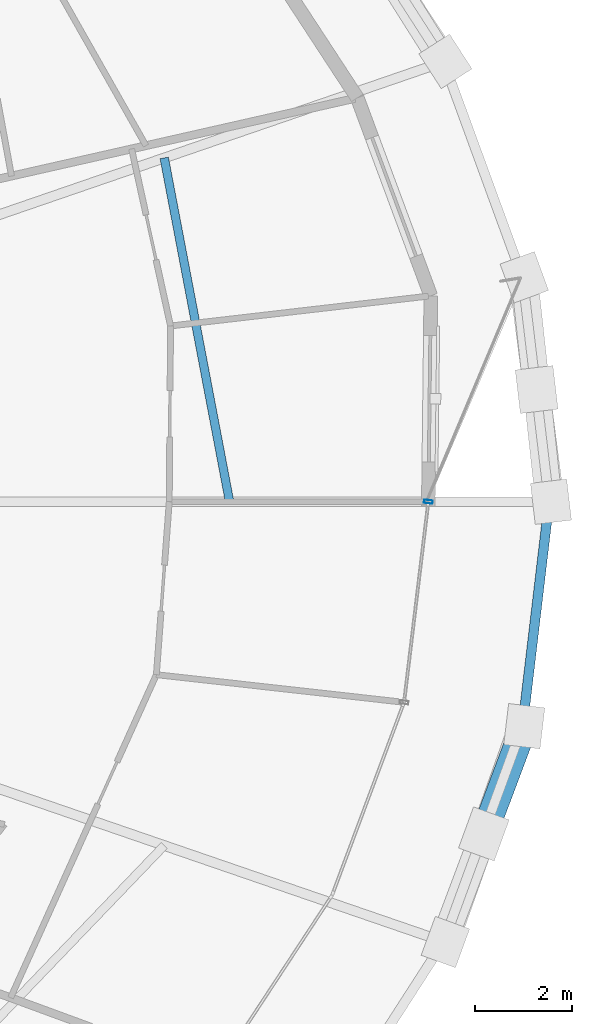
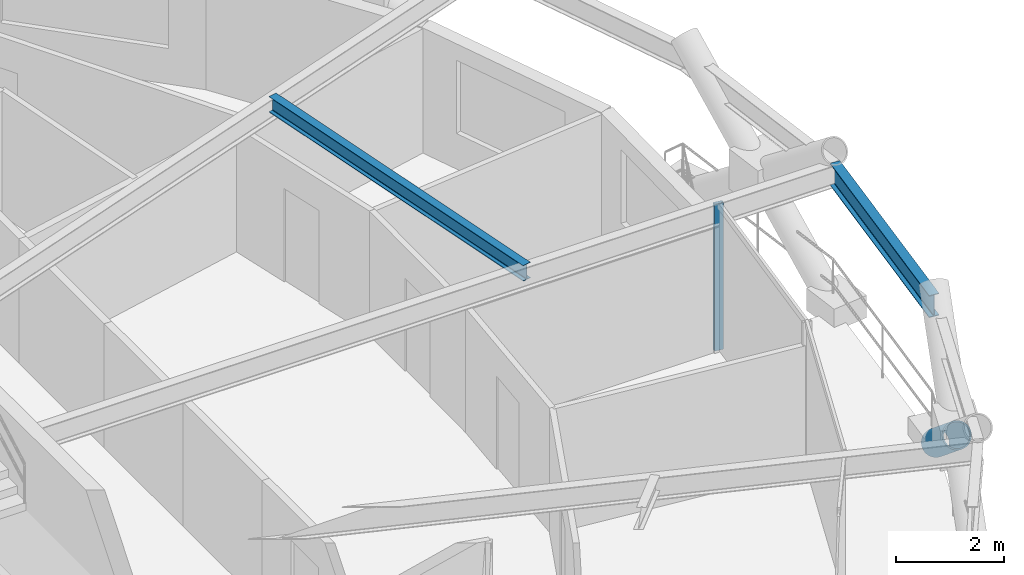
# One storey, part 11 of 21: 2 beams, 2 members, 1 element without a shape of its own.
"""IFC4 building model written with IfcOpenShell, lengths in metres."""

from ifc_helpers import new_model, si_unit, direction, frame, origin, origin_2d, place, context, subcontext, project, spatial, hollow_rectangle, hollow_circle, i_section, extrude, material, layer, layer_set, material_profile, profile_set, type_object, element, aggregate, save


model = new_model("IFC4")

# Units and contexts
model_context = context("Model", 3, precision=1e-05, world=origin(), true_north=direction((0.0, 1.0)))
body_context = subcontext(model_context, "Body", "Model", "MODEL_VIEW")
ifc_project = project(units=[si_unit("LENGTHUNIT", "METRE"), si_unit("AREAUNIT", "SQUARE_METRE"), si_unit("VOLUMEUNIT", "CUBIC_METRE"), si_unit("PLANEANGLEUNIT", "RADIAN"), si_unit("MASSUNIT", "GRAM", prefix="KILO")], contexts=[model_context])

# Site, building, storey
site_placement = place(None, origin())
site = spatial("IfcSite", under=ifc_project, at=site_placement, CompositionType="ELEMENT")
building_placement = place(site_placement, origin())
building = spatial("IfcBuilding", under=site, at=building_placement, Name="Veldorina Hangang Commons", CompositionType="ELEMENT")
storey_placement = place(building_placement, frame((0.0, 0.0, 135.199951171875)))
storey = spatial("IfcBuildingStorey", under=building, at=storey_placement, Name="L34", CompositionType="ELEMENT", Elevation=135.199951171875)

# Beams
ifc_material_1 = material(Name="Steel SM355-TMC", Category="steel")
ifc_material_profile_1 = material_profile(ifc_material_1, i_section(OverallWidth=0.175048828125, OverallDepth=0.35009765625, WebThickness=0.007080078125, FlangeThickness=0.010986328125, FilletRadius=0.012939453125, at=origin_2d()), Name="H-350x175x7x11")
ifc_profile_set_1 = profile_set([ifc_material_profile_1], Name="Steel SM355-TMC")
beam_type_1 = type_object("IfcBeamType", Name="BM-JST350", PredefinedType="JOIST", material=ifc_profile_set_1)
beam_1_placement = place(storey_placement, frame((53.896240234375, 24.0, 3.175048828125), z_axis=(-0.186792343589, 0.98239941998, 0.0), x_axis=(-0.98239941998, -0.186792343589, 0.0)))
element("IfcBeam", 1, at=beam_1_placement, inside=storey, type_object=beam_type_1, Name="L34 secondary floor joist 01", PredefinedType="JOIST", context=body_context, shape_type="SweptSolid", body=[
    extrude(i_section(OverallWidth=0.175048828125, OverallDepth=0.35009765625, WebThickness=0.007080078125, FlangeThickness=0.010986328125, FilletRadius=0.012939453125, at=origin_2d()), origin(), (0.0, 0.0, 1.0), 7.192626953125),
])
ifc_material_2 = material(Name="Steel SM420-TMC", Category="steel")
ifc_material_profile_2 = material_profile(ifc_material_2, i_section(OverallWidth=0.199951171875, OverallDepth=0.5, WebThickness=0.010009765625, FlangeThickness=0.01611328125, FilletRadius=0.01611328125, at=origin_2d()), Name="H-500x200x10x16")
ifc_profile_set_2 = profile_set([ifc_material_profile_2], Name="Steel SM420-TMC")
beam_type_2 = type_object("IfcBeamType", Name="BM-RB500", PredefinedType="BEAM", material=ifc_profile_set_2)
beam_2_placement = place(storey_placement, frame((59.91748046875, 19.39111328125, 3.10009765625), z_axis=(0.117830048603, 0.993033775682, 0.0), x_axis=(-0.993033775682, 0.117830048603, 0.0)))
element("IfcBeam", 2, at=beam_2_placement, inside=storey, type_object=beam_type_2, Name="L34 perimeter hoop ring beam 31", PredefinedType="BEAM", context=body_context, shape_type="SweptSolid", body=[
    extrude(i_section(OverallWidth=0.199951171875, OverallDepth=0.5, WebThickness=0.010009765625, FlangeThickness=0.01611328125, FilletRadius=0.01611328125, at=origin_2d()), origin(), (0.0, 0.0, 1.0), 4.64111328125),
])

# Curtain wall, member
ifc_material_3 = material(Name="Glass Low-E Triple IGU", Category="glass")
ifc_layer = layer(ifc_material_3, 0.179931640625)
ifc_layer_set = layer_set([ifc_layer], Name="Glass Low-E Triple IGU")
curtain_wall_type = type_object("IfcCurtainWallType", Name="CW-SYS-Z2", PredefinedType="NOTDEFINED", material=ifc_layer_set)
curtain_wall_placement = place(storey_placement, origin())
curtain_wall = element("IfcCurtainWall", 3, at=curtain_wall_placement, inside=storey, type_object=curtain_wall_type, Name="L34 unitised curtain wall CW-L34-R2", PredefinedType="NOTDEFINED")
ifc_material_4 = material(Name="Aluminium Anodized AA6063-T6", Category="aluminium")
ifc_material_profile_3 = material_profile(ifc_material_4, hollow_rectangle(XDim=0.070068359375, YDim=0.179931640625, WallThickness=0.00390625, at=origin_2d()), Name="ALU-RHS-180x70x4")
ifc_profile_set_3 = profile_set([ifc_material_profile_3], Name="Aluminium Anodized AA6063-T6")
member_type_1 = type_object("IfcMemberType", Name="CW-MUL-180", PredefinedType="MULLION", material=ifc_profile_set_3)
member_1_placement = place(storey_placement, frame((57.981201171875, 24.0, 0.0), z_axis=(0.0, 0.0, 1.0), x_axis=(-0.120223472799, -0.992746854232, 0.0)))
member_1 = element("IfcMember", 4, at=member_1_placement, type_object=member_type_1, Name="CW-L34-R2 vertical mullion 4", PredefinedType="MULLION", context=body_context, shape_type="SweptSolid", body=[
    extrude(hollow_rectangle(XDim=0.070068359375, YDim=0.179931640625, WallThickness=0.00390625, at=origin_2d()), origin(), (0.0, 0.0, 1.0), 3.31005859375),
])
aggregate(curtain_wall, [member_1])

# Member
ifc_material_profile_4 = material_profile(ifc_material_2, hollow_circle(Radius=0.27490234375, WallThickness=0.028076171875, at=origin_2d()), Name="CHS-550x28")
ifc_profile_set_4 = profile_set([ifc_material_profile_4], Name="Steel SM420-TMC")
member_type_2 = type_object("IfcMemberType", Name="DG-CHS550", PredefinedType="BRACE", material=ifc_profile_set_4)
member_2_placement = place(storey_placement, frame((59.95361328125, 19.385986328125, 0.0), z_axis=(-0.279628973667, -0.744773909601, 0.605903837803), x_axis=(0.936189106859, -0.35149673711, 0.0)))
element("IfcMember", 5, at=member_2_placement, inside=storey, type_object=member_type_2, Name="L34 split perimeter diagrid lower brace 31", PredefinedType="BRACE", context=body_context, shape_type="SweptSolid", body=[
    extrude(hollow_circle(Radius=0.27490234375, WallThickness=0.028076171875, at=origin_2d()), origin(), (0.0, 0.0, 1.0), 2.972900390625),
])

save(model, "model.ifc")
